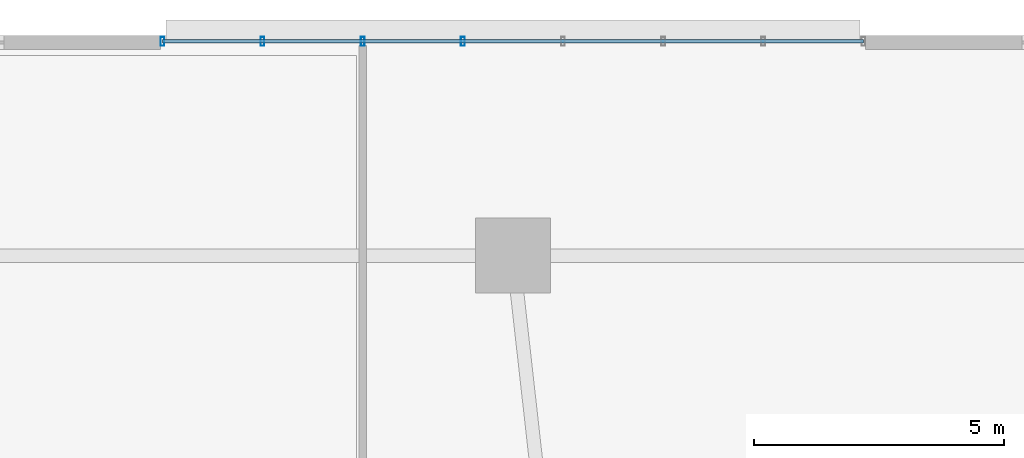
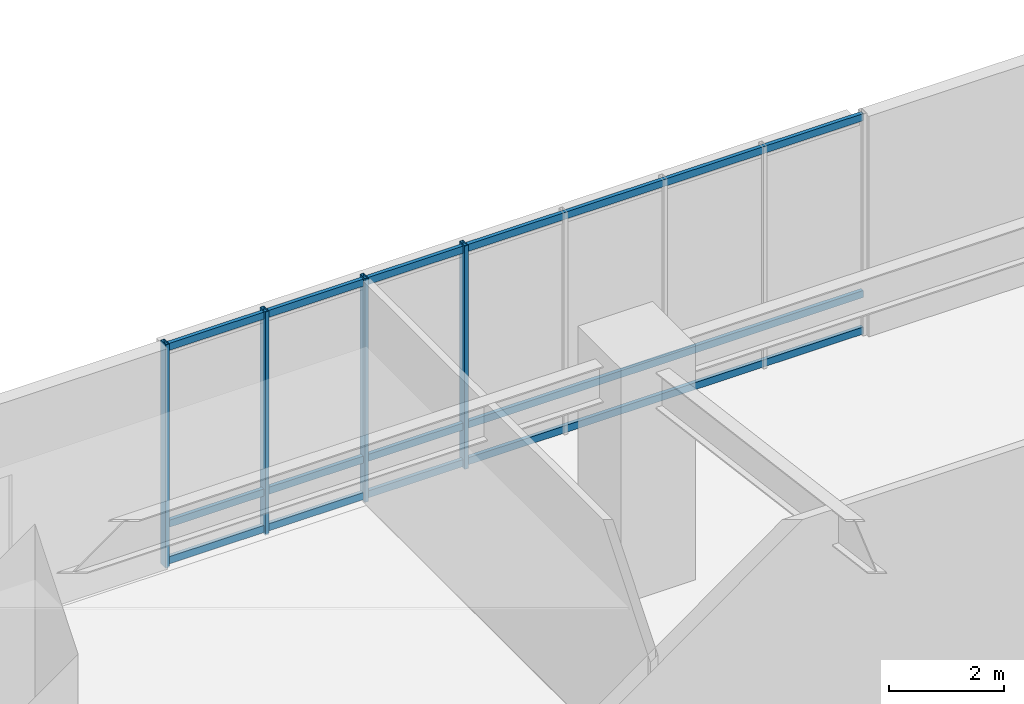
# One storey, part 7 of 23: 7 members, 1 element without a shape of its own.
"""IFC4 building model written with IfcOpenShell, lengths in metres."""

from ifc_helpers import new_model, si_unit, direction, frame, origin, origin_2d, place, context, subcontext, project, spatial, hollow_rectangle, extrude, material, material_profile, profile_set, type_object, element, aggregate, save


model = new_model("IFC4")

# Units and contexts
model_context = context("Model", 3, precision=1e-05, world=origin(), true_north=direction((0.0, 1.0)))
body_context = subcontext(model_context, "Body", "Model", "MODEL_VIEW")
ifc_project = project(units=[si_unit("LENGTHUNIT", "METRE"), si_unit("AREAUNIT", "SQUARE_METRE"), si_unit("VOLUMEUNIT", "CUBIC_METRE"), si_unit("PLANEANGLEUNIT", "RADIAN"), si_unit("MASSUNIT", "GRAM", prefix="KILO")], contexts=[model_context])

# Site, building, storey
site_placement = place(None, origin())
site = spatial("IfcSite", under=ifc_project, at=site_placement, CompositionType="ELEMENT")
building_placement = place(site_placement, origin())
building = spatial("IfcBuilding", under=site, at=building_placement, Name="Zulverin Broadcast Headquarters", CompositionType="ELEMENT")
storey_placement = place(building_placement, frame((0.0, 0.0, 10.0)))
storey = spatial("IfcBuildingStorey", under=building, at=storey_placement, Name="L02", CompositionType="ELEMENT", Elevation=10.0)

# Curtain wall, members
ifc_material_1 = material(Name="Pale-metal unitised podium curtain wall", Category="aluminium")
curtain_wall_type = type_object("IfcCurtainWallType", Name="CW-POD", PredefinedType="USERDEFINED", material=ifc_material_1)
curtain_wall_placement = place(storey_placement, origin())
curtain_wall = element("IfcCurtainWall", 1, at=curtain_wall_placement, inside=storey, type_object=curtain_wall_type, Name="L02 Unitised Curtain Wall CW-L02-N2", ObjectType="UNITISED CURTAIN WALL", PredefinedType="USERDEFINED")
ifc_material_2 = material(Name="Anodized pale-metal aluminium alloy 6063-T6", Category="aluminium")
ifc_material_profile_1 = material_profile(ifc_material_2, hollow_rectangle(XDim=0.074951171875, YDim=0.179931640625, WallThickness=0.0048828125, at=origin_2d()), Name="Anodized pale-metal aluminium alloy 6063-T6", Category="aluminium")
ifc_profile_set_1 = profile_set([ifc_material_profile_1], Name="Anodized pale-metal aluminium alloy 6063-T6")
member_type_1 = type_object("IfcMemberType", Name="CW-MUL-180", PredefinedType="MULLION", material=ifc_profile_set_1)
member_1_placement = place(storey_placement, frame((36.0, 50.280029296875, -0.030029296875), z_axis=(0.0, 0.0, 1.0), x_axis=(-1.0, 0.0, 0.0)))
member_1 = element("IfcMember", 2, at=member_1_placement, type_object=member_type_1, Name="CW-L02-N2 Mullion 04", PredefinedType="MULLION", context=body_context, shape_type="SweptSolid", body=[
    extrude(hollow_rectangle(XDim=0.074951171875, YDim=0.179931640625, WallThickness=0.0048828125, at=origin_2d()), origin(), (0.0, 0.0, 1.0), 4.739990234375),
])
member_2_placement = place(storey_placement, frame((34.0, 50.280029296875, -0.030029296875), z_axis=(0.0, 0.0, 1.0), x_axis=(-1.0, 0.0, 0.0)))
member_2 = element("IfcMember", 3, at=member_2_placement, type_object=member_type_1, Name="CW-L02-N2 Mullion 05", PredefinedType="MULLION", context=body_context, shape_type="SweptSolid", body=[
    extrude(hollow_rectangle(XDim=0.074951171875, YDim=0.179931640625, WallThickness=0.0048828125, at=origin_2d()), origin(), (0.0, 0.0, 1.0), 4.739990234375),
])
member_3_placement = place(storey_placement, frame((32.0, 50.280029296875, -0.030029296875), z_axis=(0.0, 0.0, 1.0), x_axis=(-1.0, 0.0, 0.0)))
member_3 = element("IfcMember", 4, at=member_3_placement, type_object=member_type_1, Name="CW-L02-N2 Mullion 06", PredefinedType="MULLION", context=body_context, shape_type="SweptSolid", body=[
    extrude(hollow_rectangle(XDim=0.074951171875, YDim=0.179931640625, WallThickness=0.0048828125, at=origin_2d()), origin(), (0.0, 0.0, 1.0), 4.739990234375),
])
member_4_placement = place(storey_placement, frame((30.0, 50.280029296875, -0.030029296875), z_axis=(0.0, 0.0, 1.0), x_axis=(-1.0, 0.0, 0.0)))
member_4 = element("IfcMember", 5, at=member_4_placement, type_object=member_type_1, Name="CW-L02-N2 Mullion 07", PredefinedType="MULLION", context=body_context, shape_type="SweptSolid", body=[
    extrude(hollow_rectangle(XDim=0.074951171875, YDim=0.179931640625, WallThickness=0.0048828125, at=origin_2d()), origin(), (0.0, 0.0, 1.0), 4.739990234375),
])
ifc_material_profile_2 = material_profile(ifc_material_2, hollow_rectangle(XDim=0.074951171875, YDim=0.14990234375, WallThickness=0.0048828125, at=origin_2d()), Name="Anodized pale-metal aluminium alloy 6063-T6", Category="aluminium")
ifc_profile_set_2 = profile_set([ifc_material_profile_2], Name="Anodized pale-metal aluminium alloy 6063-T6")
member_type_2 = type_object("IfcMemberType", Name="CW-TRN-150", PredefinedType="USERDEFINED", material=ifc_profile_set_2)
member_5_placement = place(storey_placement, frame((44.0, 50.280029296875, 0.074951171875), z_axis=(-1.0, 0.0, 0.0), x_axis=(0.0, -1.0, 0.0)))
member_5 = element("IfcMember", 6, at=member_5_placement, type_object=member_type_2, Name="CW-L02-N2 Transom 0", ObjectType="TRANSOM", PredefinedType="USERDEFINED", context=body_context, shape_type="SweptSolid", body=[
    extrude(hollow_rectangle(XDim=0.074951171875, YDim=0.14990234375, WallThickness=0.0048828125, at=origin_2d()), origin(), (0.0, 0.0, 1.0), 14.0),
])
member_6_placement = place(storey_placement, frame((44.0, 50.280029296875, 0.85009765625), z_axis=(-1.0, 0.0, 0.0), x_axis=(0.0, -1.0, 0.0)))
member_6 = element("IfcMember", 7, at=member_6_placement, type_object=member_type_2, Name="CW-L02-N2 Transom 1", ObjectType="TRANSOM", PredefinedType="USERDEFINED", context=body_context, shape_type="SweptSolid", body=[
    extrude(hollow_rectangle(XDim=0.074951171875, YDim=0.14990234375, WallThickness=0.0048828125, at=origin_2d()), origin(), (0.0, 0.0, 1.0), 14.0),
])
member_7_placement = place(storey_placement, frame((44.0, 50.280029296875, 4.60498046875), z_axis=(-1.0, 0.0, 0.0), x_axis=(0.0, -1.0, 0.0)))
member_7 = element("IfcMember", 8, at=member_7_placement, type_object=member_type_2, Name="CW-L02-N2 Transom 2", ObjectType="TRANSOM", PredefinedType="USERDEFINED", context=body_context, shape_type="SweptSolid", body=[
    extrude(hollow_rectangle(XDim=0.074951171875, YDim=0.14990234375, WallThickness=0.0048828125, at=origin_2d()), origin(), (0.0, 0.0, 1.0), 14.0),
])
aggregate(curtain_wall, [member_1, member_2, member_3, member_4, member_5, member_6, member_7])

save(model, "model.ifc")
